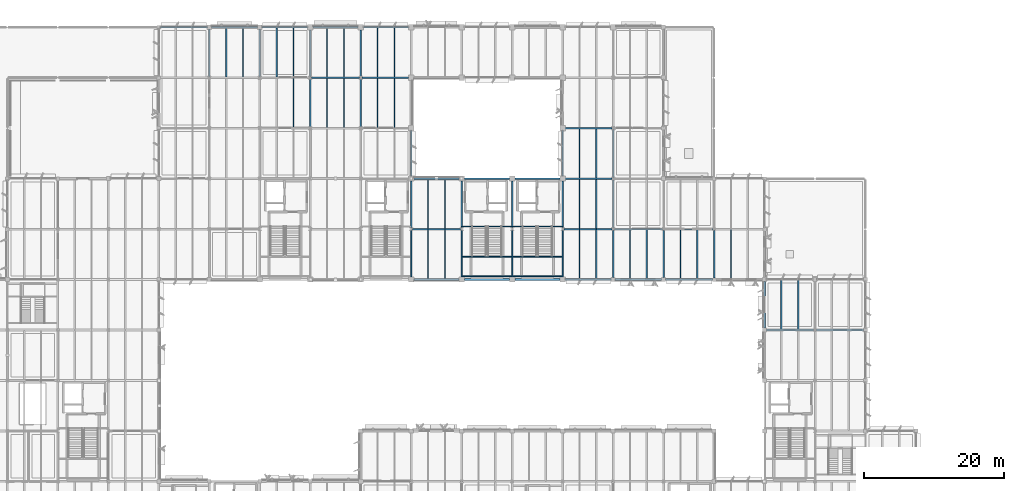
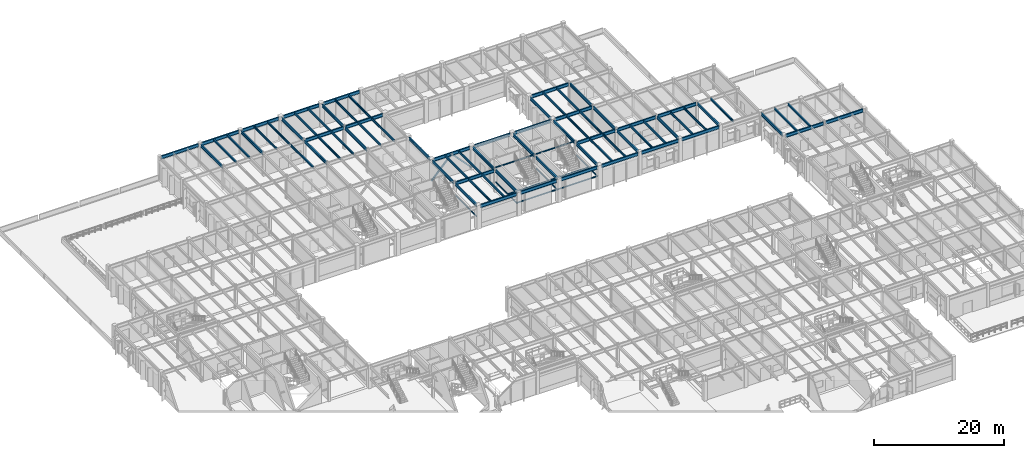
# One storey, part 22 of 92: 86 beams, 2 members.
"""IFC4 building model written with IfcOpenShell, lengths in metres."""

from ifc_helpers import new_model, si_unit, direction, frame, origin, origin_2d, place, context, subcontext, project, spatial, hollow_rectangle, i_section, extrude, material, material_profile, profile_set, type_object, element, save


model = new_model("IFC4")

# Units and contexts
model_context = context("Model", 3, precision=1e-05, world=origin(), true_north=direction((0.0, 1.0)))
body_context = subcontext(model_context, "Body", "Model", "MODEL_VIEW")
ifc_project = project(units=[si_unit("LENGTHUNIT", "METRE"), si_unit("AREAUNIT", "SQUARE_METRE"), si_unit("VOLUMEUNIT", "CUBIC_METRE"), si_unit("PLANEANGLEUNIT", "RADIAN"), si_unit("MASSUNIT", "GRAM", prefix="KILO")], contexts=[model_context])

# Site, building, storey
site_placement = place(None, origin())
site = spatial("IfcSite", under=ifc_project, at=site_placement, CompositionType="ELEMENT")
building_placement = place(site_placement, origin())
building = spatial("IfcBuilding", under=site, at=building_placement, Name="Sillqori Civic Hall", CompositionType="ELEMENT")
storey_placement = place(building_placement, frame((0.0, 0.0, 5.39990234375)))
storey = spatial("IfcBuildingStorey", under=building, at=storey_placement, Name="L02", CompositionType="ELEMENT", Elevation=5.39990234375)

# Beams
ifc_material_1 = material(Name="Steel ASTM A992", Category="steel")
ifc_material_profile_1 = material_profile(ifc_material_1, i_section(OverallWidth=0.2099609375, OverallDepth=0.532958984375, WebThickness=0.01025390625, FlangeThickness=0.015625, FilletRadius=0.013916015625, at=origin_2d()), Name="W21X62")
ifc_profile_set_1 = profile_set([ifc_material_profile_1], Name="Steel ASTM A992")
beam_type_1 = type_object("IfcBeamType", Name="BM-W21X62", PredefinedType="BEAM", material=ifc_profile_set_1)
beam_1_placement = place(storey_placement, frame((43.199951171875, 108.181884765625, 4.03369140625), z_axis=(0.0, 1.0, 0.0), x_axis=(-1.0, 0.0, 0.0)))
element("IfcBeam", 1, at=beam_1_placement, inside=storey, type_object=beam_type_1, Name="L02 girder Y 6-15", PredefinedType="BEAM", context=body_context, shape_type="SweptSolid", body=[
    extrude(i_section(OverallWidth=0.2099609375, OverallDepth=0.532958984375, WebThickness=0.01025390625, FlangeThickness=0.015625, FilletRadius=0.013916015625, at=origin_2d()), origin(), (0.0, 0.0, 1.0), 6.72412109375),
])
beam_2_placement = place(storey_placement, frame((50.39990234375, 108.18701171875, 4.03369140625), z_axis=(0.0, 1.0, 0.0), x_axis=(-1.0, 0.0, 0.0)))
element("IfcBeam", 2, at=beam_2_placement, inside=storey, type_object=beam_type_1, Name="L02 girder Y 7-15", PredefinedType="BEAM", context=body_context, shape_type="SweptSolid", body=[
    extrude(i_section(OverallWidth=0.2099609375, OverallDepth=0.532958984375, WebThickness=0.01025390625, FlangeThickness=0.015625, FilletRadius=0.013916015625, at=origin_2d()), origin(), (0.0, 0.0, 1.0), 6.718994140625),
])
beam_3_placement = place(storey_placement, frame((57.60009765625, 100.990966796875, 4.03369140625), z_axis=(0.0, 1.0, 0.0), x_axis=(-1.0, 0.0, 0.0)))
element("IfcBeam", 3, at=beam_3_placement, inside=storey, type_object=beam_type_1, Name="L02 girder Y 8-14", PredefinedType="BEAM", context=body_context, shape_type="SweptSolid", body=[
    extrude(i_section(OverallWidth=0.2099609375, OverallDepth=0.532958984375, WebThickness=0.01025390625, FlangeThickness=0.015625, FilletRadius=0.013916015625, at=origin_2d()), origin(), (0.0, 0.0, 1.0), 6.818115234375),
])
beam_4_placement = place(storey_placement, frame((57.60009765625, 108.19091796875, 4.03369140625), z_axis=(0.0, 1.0, 0.0), x_axis=(-1.0, 0.0, 0.0)))
element("IfcBeam", 4, at=beam_4_placement, inside=storey, type_object=beam_type_1, Name="L02 girder Y 8-15", PredefinedType="BEAM", context=body_context, shape_type="SweptSolid", body=[
    extrude(i_section(OverallWidth=0.2099609375, OverallDepth=0.532958984375, WebThickness=0.01025390625, FlangeThickness=0.015625, FilletRadius=0.013916015625, at=origin_2d()), origin(), (0.0, 0.0, 1.0), 6.64013671875),
])
beam_5_placement = place(storey_placement, frame((64.800048828125, 100.990966796875, 4.03369140625), z_axis=(0.0, 1.0, 0.0), x_axis=(-1.0, 0.0, 0.0)))
element("IfcBeam", 5, at=beam_5_placement, inside=storey, type_object=beam_type_1, Name="L02 girder Y 9-14", PredefinedType="BEAM", context=body_context, shape_type="SweptSolid", body=[
    extrude(i_section(OverallWidth=0.2099609375, OverallDepth=0.532958984375, WebThickness=0.01025390625, FlangeThickness=0.015625, FilletRadius=0.013916015625, at=origin_2d()), origin(), (0.0, 0.0, 1.0), 6.818115234375),
])
beam_6_placement = place(storey_placement, frame((64.800048828125, 108.19091796875, 4.03369140625), z_axis=(0.0, 1.0, 0.0), x_axis=(-1.0, 0.0, 0.0)))
element("IfcBeam", 6, at=beam_6_placement, inside=storey, type_object=beam_type_1, Name="L02 girder Y 9-15", PredefinedType="BEAM", context=body_context, shape_type="SweptSolid", body=[
    extrude(i_section(OverallWidth=0.2099609375, OverallDepth=0.532958984375, WebThickness=0.01025390625, FlangeThickness=0.015625, FilletRadius=0.013916015625, at=origin_2d()), origin(), (0.0, 0.0, 1.0), 6.64013671875),
])
for number, where, z_axis, x_axis, name in (
    (7, (72.0, 79.569091796875, 4.03369140625), (0.0, 1.0, 0.0), (-1.0, 0.0, 0.0), "L02 girder Y 10-11"),
    (8, (72.0, 86.591064453125, 4.03369140625), (0.0, 1.0, 0.0), (-1.0, 0.0, 0.0), "L02 girder Y 10-12"),
):
    element("IfcBeam", number, at=place(storey_placement, frame(where, z_axis=z_axis, x_axis=x_axis)), inside=storey, type_object=beam_type_1, Name=name, PredefinedType="BEAM", context=body_context, shape_type="SweptSolid", body=[
        extrude(i_section(OverallWidth=0.2099609375, OverallDepth=0.532958984375, WebThickness=0.01025390625, FlangeThickness=0.015625, FilletRadius=0.013916015625, at=origin_2d()), origin(), (0.0, 0.0, 1.0), 6.639892578125),
    ])
beam_7_placement = place(storey_placement, frame((72.0, 93.968994140625, 4.03369140625), z_axis=(0.0, 1.0, 0.0), x_axis=(-1.0, 0.0, 0.0)))
element("IfcBeam", 9, at=beam_7_placement, inside=storey, type_object=beam_type_1, Name="L02 girder Y 10-13", PredefinedType="BEAM", context=body_context, shape_type="SweptSolid", body=[
    extrude(i_section(OverallWidth=0.2099609375, OverallDepth=0.532958984375, WebThickness=0.01025390625, FlangeThickness=0.015625, FilletRadius=0.013916015625, at=origin_2d()), origin(), (0.0, 0.0, 1.0), 6.4619140625),
])
for number, where, z_axis, x_axis, name in (
    (10, (79.199951171875, 79.569091796875, 4.03369140625), (0.0, 1.0, 0.0), (-1.0, 0.0, 0.0), "L02 girder Y 11-11"),
    (11, (79.199951171875, 86.591064453125, 4.03369140625), (0.0, 1.0, 0.0), (-1.0, 0.0, 0.0), "L02 girder Y 11-12"),
    (12, (86.39990234375, 79.569091796875, 4.03369140625), (0.0, 1.0, 0.0), (-1.0, 0.0, 0.0), "L02 girder Y 12-11"),
    (13, (86.39990234375, 86.591064453125, 4.03369140625), (0.0, 1.0, 0.0), (-1.0, 0.0, 0.0), "L02 girder Y 12-12"),
    (14, (93.60009765625, 79.569091796875, 4.03369140625), (0.0, 1.0, 0.0), (-1.0, 0.0, 0.0), "L02 girder Y 13-11"),
    (15, (93.60009765625, 86.591064453125, 4.03369140625), (0.0, 1.0, 0.0), (-1.0, 0.0, 0.0), "L02 girder Y 13-12"),
):
    element("IfcBeam", number, at=place(storey_placement, frame(where, z_axis=z_axis, x_axis=x_axis)), inside=storey, type_object=beam_type_1, Name=name, PredefinedType="BEAM", context=body_context, shape_type="SweptSolid", body=[
        extrude(i_section(OverallWidth=0.2099609375, OverallDepth=0.532958984375, WebThickness=0.01025390625, FlangeThickness=0.015625, FilletRadius=0.013916015625, at=origin_2d()), origin(), (0.0, 0.0, 1.0), 6.639892578125),
    ])
beam_8_placement = place(storey_placement, frame((93.60009765625, 93.968994140625, 4.03369140625), z_axis=(0.0, 1.0, 0.0), x_axis=(-1.0, 0.0, 0.0)))
element("IfcBeam", 16, at=beam_8_placement, inside=storey, type_object=beam_type_1, Name="L02 girder Y 13-13", PredefinedType="BEAM", context=body_context, shape_type="SweptSolid", body=[
    extrude(i_section(OverallWidth=0.2099609375, OverallDepth=0.532958984375, WebThickness=0.01025390625, FlangeThickness=0.015625, FilletRadius=0.013916015625, at=origin_2d()), origin(), (0.0, 0.0, 1.0), 6.4619140625),
])
beam_9_placement = place(storey_placement, frame((100.800048828125, 79.493896484375, 4.03369140625), z_axis=(0.0, 1.0, 0.0), x_axis=(-1.0, 0.0, 0.0)))
element("IfcBeam", 17, at=beam_9_placement, inside=storey, type_object=beam_type_1, Name="L02 girder Y 14-11", PredefinedType="BEAM", context=body_context, shape_type="SweptSolid", body=[
    extrude(i_section(OverallWidth=0.2099609375, OverallDepth=0.532958984375, WebThickness=0.01025390625, FlangeThickness=0.015625, FilletRadius=0.013916015625, at=origin_2d()), origin(), (0.0, 0.0, 1.0), 6.715087890625),
])
for number, where, z_axis, x_axis, name in (
    (18, (100.800048828125, 86.591064453125, 4.03369140625), (0.0, 1.0, 0.0), (-1.0, 0.0, 0.0), "L02 girder Y 14-12"),
    (19, (100.800048828125, 93.791015625, 4.03369140625), (0.0, 1.0, 0.0), (-1.0, 0.0, 0.0), "L02 girder Y 14-13"),
):
    element("IfcBeam", number, at=place(storey_placement, frame(where, z_axis=z_axis, x_axis=x_axis)), inside=storey, type_object=beam_type_1, Name=name, PredefinedType="BEAM", context=body_context, shape_type="SweptSolid", body=[
        extrude(i_section(OverallWidth=0.2099609375, OverallDepth=0.532958984375, WebThickness=0.01025390625, FlangeThickness=0.015625, FilletRadius=0.013916015625, at=origin_2d()), origin(), (0.0, 0.0, 1.0), 6.81787109375),
    ])
beam_10_placement = place(storey_placement, frame((108.0, 79.493896484375, 4.03369140625), z_axis=(0.0, 1.0, 0.0), x_axis=(-1.0, 0.0, 0.0)))
element("IfcBeam", 20, at=beam_10_placement, inside=storey, type_object=beam_type_1, Name="L02 girder Y 15-11", PredefinedType="BEAM", context=body_context, shape_type="SweptSolid", body=[
    extrude(i_section(OverallWidth=0.2099609375, OverallDepth=0.532958984375, WebThickness=0.01025390625, FlangeThickness=0.015625, FilletRadius=0.013916015625, at=origin_2d()), origin(), (0.0, 0.0, 1.0), 6.72802734375),
])
beam_11_placement = place(storey_placement, frame((115.199951171875, 79.444091796875, 4.03369140625), z_axis=(0.0, 1.0, 0.0), x_axis=(-1.0, 0.0, 0.0)))
element("IfcBeam", 21, at=beam_11_placement, inside=storey, type_object=beam_type_1, Name="L02 girder Y 16-11", PredefinedType="BEAM", context=body_context, shape_type="SweptSolid", body=[
    extrude(i_section(OverallWidth=0.2099609375, OverallDepth=0.532958984375, WebThickness=0.01025390625, FlangeThickness=0.015625, FilletRadius=0.013916015625, at=origin_2d()), origin(), (0.0, 0.0, 1.0), 6.781494140625),
])
beam_12_placement = place(storey_placement, frame((122.39990234375, 72.2939453125, 4.03369140625), z_axis=(0.0, 1.0, 0.0), x_axis=(-1.0, 0.0, 0.0)))
element("IfcBeam", 22, at=beam_12_placement, inside=storey, type_object=beam_type_1, Name="L02 girder Y 17-10", PredefinedType="BEAM", context=body_context, shape_type="SweptSolid", body=[
    extrude(i_section(OverallWidth=0.2099609375, OverallDepth=0.532958984375, WebThickness=0.01025390625, FlangeThickness=0.015625, FilletRadius=0.013916015625, at=origin_2d()), origin(), (0.0, 0.0, 1.0), 6.612060546875),
])
ifc_material_profile_2 = material_profile(ifc_material_1, i_section(OverallWidth=0.22802734375, OverallDepth=0.60205078125, WebThickness=0.010498046875, FlangeThickness=0.014892578125, FilletRadius=0.014892578125, at=origin_2d()), Name="W24X68")
ifc_profile_set_2 = profile_set([ifc_material_profile_2], Name="Steel ASTM A992")
beam_type_2 = type_object("IfcBeamType", Name="BM-W24X68", PredefinedType="BEAM", material=ifc_profile_set_2)
beam_13_placement = place(storey_placement, frame((36.243896484375, 115.199951171875, 3.9990234375), z_axis=(1.0, 0.0, 0.0), x_axis=(0.0, 1.0, 0.0)))
element("IfcBeam", 23, at=beam_13_placement, inside=storey, type_object=beam_type_2, Name="L02 girder X 5-16", PredefinedType="BEAM", context=body_context, shape_type="SweptSolid", body=[
    extrude(i_section(OverallWidth=0.22802734375, OverallDepth=0.60205078125, WebThickness=0.010498046875, FlangeThickness=0.014892578125, FilletRadius=0.014892578125, at=origin_2d()), origin(), (0.0, 0.0, 1.0), 6.662109375),
])
beam_14_placement = place(storey_placement, frame((43.493896484375, 115.199951171875, 3.9990234375), z_axis=(1.0, 0.0, 0.0), x_axis=(0.0, 1.0, 0.0)))
element("IfcBeam", 24, at=beam_14_placement, inside=storey, type_object=beam_type_2, Name="L02 girder X 6-16", PredefinedType="BEAM", context=body_context, shape_type="SweptSolid", body=[
    extrude(i_section(OverallWidth=0.22802734375, OverallDepth=0.60205078125, WebThickness=0.010498046875, FlangeThickness=0.014892578125, FilletRadius=0.014892578125, at=origin_2d()), origin(), (0.0, 0.0, 1.0), 6.612060546875),
])
beam_15_placement = place(storey_placement, frame((50.694091796875, 115.199951171875, 3.9990234375), z_axis=(1.0, 0.0, 0.0), x_axis=(0.0, 1.0, 0.0)))
element("IfcBeam", 25, at=beam_15_placement, inside=storey, type_object=beam_type_2, Name="L02 girder X 7-16", PredefinedType="BEAM", context=body_context, shape_type="SweptSolid", body=[
    extrude(i_section(OverallWidth=0.22802734375, OverallDepth=0.60205078125, WebThickness=0.010498046875, FlangeThickness=0.014892578125, FilletRadius=0.014892578125, at=origin_2d()), origin(), (0.0, 0.0, 1.0), 6.536865234375),
])
beam_16_placement = place(storey_placement, frame((57.79345703125, 108.0, 3.9990234375), z_axis=(1.0, 0.0, 0.0), x_axis=(0.0, 1.0, 0.0)))
element("IfcBeam", 26, at=beam_16_placement, inside=storey, type_object=beam_type_2, Name="L02 girder X 8-15", PredefinedType="BEAM", context=body_context, shape_type="SweptSolid", body=[
    extrude(i_section(OverallWidth=0.22802734375, OverallDepth=0.60205078125, WebThickness=0.010498046875, FlangeThickness=0.014892578125, FilletRadius=0.014892578125, at=origin_2d()), origin(), (0.0, 0.0, 1.0), 6.81298828125),
])
beam_17_placement = place(storey_placement, frame((57.968994140625, 115.199951171875, 3.9990234375), z_axis=(1.0, 0.0, 0.0), x_axis=(0.0, 1.0, 0.0)))
element("IfcBeam", 27, at=beam_17_placement, inside=storey, type_object=beam_type_2, Name="L02 girder X 8-16", PredefinedType="BEAM", context=body_context, shape_type="SweptSolid", body=[
    extrude(i_section(OverallWidth=0.22802734375, OverallDepth=0.60205078125, WebThickness=0.010498046875, FlangeThickness=0.014892578125, FilletRadius=0.014892578125, at=origin_2d()), origin(), (0.0, 0.0, 1.0), 6.4619140625),
])
beam_18_placement = place(storey_placement, frame((64.993408203125, 108.0, 3.9990234375), z_axis=(1.0, 0.0, 0.0), x_axis=(0.0, 1.0, 0.0)))
element("IfcBeam", 28, at=beam_18_placement, inside=storey, type_object=beam_type_2, Name="L02 girder X 9-15", PredefinedType="BEAM", context=body_context, shape_type="SweptSolid", body=[
    extrude(i_section(OverallWidth=0.22802734375, OverallDepth=0.60205078125, WebThickness=0.010498046875, FlangeThickness=0.014892578125, FilletRadius=0.014892578125, at=origin_2d()), origin(), (0.0, 0.0, 1.0), 6.6376953125),
])
for number, where, z_axis, x_axis, name in (
    (29, (65.1689453125, 115.199951171875, 3.9990234375), (1.0, 0.0, 0.0), (0.0, 1.0, 0.0), "L02 girder X 9-16"),
    (30, (72.368896484375, 79.199951171875, 3.9990234375), (1.0, 0.0, 0.0), (0.0, 1.0, 0.0), "L02 girder X 10-11"),
):
    element("IfcBeam", number, at=place(storey_placement, frame(where, z_axis=z_axis, x_axis=x_axis)), inside=storey, type_object=beam_type_2, Name=name, PredefinedType="BEAM", context=body_context, shape_type="SweptSolid", body=[
        extrude(i_section(OverallWidth=0.22802734375, OverallDepth=0.60205078125, WebThickness=0.010498046875, FlangeThickness=0.014892578125, FilletRadius=0.014892578125, at=origin_2d()), origin(), (0.0, 0.0, 1.0), 6.462158203125),
    ])
beam_19_placement = place(storey_placement, frame((72.193603515625, 86.39990234375, 3.9990234375), z_axis=(1.0, 0.0, 0.0), x_axis=(0.0, 1.0, 0.0)))
element("IfcBeam", 31, at=beam_19_placement, inside=storey, type_object=beam_type_2, Name="L02 girder X 10-12", PredefinedType="BEAM", context=body_context, shape_type="SweptSolid", body=[
    extrude(i_section(OverallWidth=0.22802734375, OverallDepth=0.60205078125, WebThickness=0.010498046875, FlangeThickness=0.014892578125, FilletRadius=0.014892578125, at=origin_2d()), origin(), (0.0, 0.0, 1.0), 6.81298828125),
])
beam_20_placement = place(storey_placement, frame((72.368896484375, 93.60009765625, 3.9990234375), z_axis=(1.0, 0.0, 0.0), x_axis=(0.0, 1.0, 0.0)))
element("IfcBeam", 32, at=beam_20_placement, inside=storey, type_object=beam_type_2, Name="L02 girder X 10-13", PredefinedType="BEAM", context=body_context, shape_type="SweptSolid", body=[
    extrude(i_section(OverallWidth=0.22802734375, OverallDepth=0.60205078125, WebThickness=0.010498046875, FlangeThickness=0.014892578125, FilletRadius=0.014892578125, at=origin_2d()), origin(), (0.0, 0.0, 1.0), 6.462158203125),
])
for number, where, z_axis, x_axis, name in (
    (33, (79.569091796875, 79.199951171875, 3.9990234375), (1.0, 0.0, 0.0), (0.0, 1.0, 0.0), "L02 girder X 11-11"),
    (34, (79.569091796875, 93.60009765625, 3.9990234375), (1.0, 0.0, 0.0), (0.0, 1.0, 0.0), "L02 girder X 11-13"),
    (35, (86.76904296875, 79.199951171875, 3.9990234375), (1.0, 0.0, 0.0), (0.0, 1.0, 0.0), "L02 girder X 12-11"),
    (36, (86.76904296875, 93.60009765625, 3.9990234375), (1.0, 0.0, 0.0), (0.0, 1.0, 0.0), "L02 girder X 12-13"),
):
    element("IfcBeam", number, at=place(storey_placement, frame(where, z_axis=z_axis, x_axis=x_axis)), inside=storey, type_object=beam_type_2, Name=name, PredefinedType="BEAM", context=body_context, shape_type="SweptSolid", body=[
        extrude(i_section(OverallWidth=0.22802734375, OverallDepth=0.60205078125, WebThickness=0.010498046875, FlangeThickness=0.014892578125, FilletRadius=0.014892578125, at=origin_2d()), origin(), (0.0, 0.0, 1.0), 6.4619140625),
    ])
beam_21_placement = place(storey_placement, frame((93.968994140625, 79.199951171875, 3.9990234375), z_axis=(1.0, 0.0, 0.0), x_axis=(0.0, 1.0, 0.0)))
element("IfcBeam", 37, at=beam_21_placement, inside=storey, type_object=beam_type_2, Name="L02 girder X 13-11", PredefinedType="BEAM", context=body_context, shape_type="SweptSolid", body=[
    extrude(i_section(OverallWidth=0.22802734375, OverallDepth=0.60205078125, WebThickness=0.010498046875, FlangeThickness=0.014892578125, FilletRadius=0.014892578125, at=origin_2d()), origin(), (0.0, 0.0, 1.0), 6.537109375),
])
beam_22_placement = place(storey_placement, frame((93.79345703125, 86.39990234375, 3.9990234375), z_axis=(1.0, 0.0, 0.0), x_axis=(0.0, 1.0, 0.0)))
element("IfcBeam", 38, at=beam_22_placement, inside=storey, type_object=beam_type_2, Name="L02 girder X 13-12", PredefinedType="BEAM", context=body_context, shape_type="SweptSolid", body=[
    extrude(i_section(OverallWidth=0.22802734375, OverallDepth=0.60205078125, WebThickness=0.010498046875, FlangeThickness=0.014892578125, FilletRadius=0.014892578125, at=origin_2d()), origin(), (0.0, 0.0, 1.0), 6.81298828125),
])
for number, where, z_axis, x_axis, name in (
    (39, (93.968994140625, 93.60009765625, 3.9990234375), (1.0, 0.0, 0.0), (0.0, 1.0, 0.0), "L02 girder X 13-13"),
    (40, (93.968994140625, 100.800048828125, 3.9990234375), (1.0, 0.0, 0.0), (0.0, 1.0, 0.0), "L02 girder X 13-14"),
):
    element("IfcBeam", number, at=place(storey_placement, frame(where, z_axis=z_axis, x_axis=x_axis)), inside=storey, type_object=beam_type_2, Name=name, PredefinedType="BEAM", context=body_context, shape_type="SweptSolid", body=[
        extrude(i_section(OverallWidth=0.22802734375, OverallDepth=0.60205078125, WebThickness=0.010498046875, FlangeThickness=0.014892578125, FilletRadius=0.014892578125, at=origin_2d()), origin(), (0.0, 0.0, 1.0), 6.637451171875),
    ])
beam_23_placement = place(storey_placement, frame((101.093994140625, 79.199951171875, 3.9990234375), z_axis=(1.0, 0.0, 0.0), x_axis=(0.0, 1.0, 0.0)))
element("IfcBeam", 41, at=beam_23_placement, inside=storey, type_object=beam_type_2, Name="L02 girder X 14-11", PredefinedType="BEAM", context=body_context, shape_type="SweptSolid", body=[
    extrude(i_section(OverallWidth=0.22802734375, OverallDepth=0.60205078125, WebThickness=0.010498046875, FlangeThickness=0.014892578125, FilletRadius=0.014892578125, at=origin_2d()), origin(), (0.0, 0.0, 1.0), 6.612060546875),
])
beam_24_placement = place(storey_placement, frame((100.993408203125, 86.39990234375, 3.9990234375), z_axis=(1.0, 0.0, 0.0), x_axis=(0.0, 1.0, 0.0)))
element("IfcBeam", 42, at=beam_24_placement, inside=storey, type_object=beam_type_2, Name="L02 girder X 14-12", PredefinedType="BEAM", context=body_context, shape_type="SweptSolid", body=[
    extrude(i_section(OverallWidth=0.22802734375, OverallDepth=0.60205078125, WebThickness=0.010498046875, FlangeThickness=0.014892578125, FilletRadius=0.014892578125, at=origin_2d()), origin(), (0.0, 0.0, 1.0), 6.826171875),
])
beam_25_placement = place(storey_placement, frame((108.2939453125, 79.199951171875, 3.9990234375), z_axis=(1.0, 0.0, 0.0), x_axis=(0.0, 1.0, 0.0)))
element("IfcBeam", 43, at=beam_25_placement, inside=storey, type_object=beam_type_2, Name="L02 girder X 15-11", PredefinedType="BEAM", context=body_context, shape_type="SweptSolid", body=[
    extrude(i_section(OverallWidth=0.22802734375, OverallDepth=0.60205078125, WebThickness=0.010498046875, FlangeThickness=0.014892578125, FilletRadius=0.014892578125, at=origin_2d()), origin(), (0.0, 0.0, 1.0), 6.662109375),
])
beam_26_placement = place(storey_placement, frame((108.180419921875, 86.39990234375, 3.9990234375), z_axis=(1.0, 0.0, 0.0), x_axis=(0.0, 1.0, 0.0)))
element("IfcBeam", 44, at=beam_26_placement, inside=storey, type_object=beam_type_2, Name="L02 girder X 15-12", PredefinedType="BEAM", context=body_context, shape_type="SweptSolid", body=[
    extrude(i_section(OverallWidth=0.22802734375, OverallDepth=0.60205078125, WebThickness=0.010498046875, FlangeThickness=0.014892578125, FilletRadius=0.014892578125, at=origin_2d()), origin(), (0.0, 0.0, 1.0), 6.840087890625),
])
ifc_material_profile_3 = material_profile(ifc_material_1, i_section(OverallWidth=0.22900390625, OverallDepth=0.612060546875, WebThickness=0.011962890625, FlangeThickness=0.01953125, FilletRadius=0.014892578125, at=origin_2d()), Name="W24X84")
ifc_profile_set_3 = profile_set([ifc_material_profile_3], Name="Steel ASTM A992")
beam_type_3 = type_object("IfcBeamType", Name="BM-W24X84", PredefinedType="BEAM", material=ifc_profile_set_3)
beam_27_placement = place(storey_placement, frame((122.694091796875, 72.0, 3.994140625), z_axis=(1.0, 0.0, 0.0), x_axis=(0.0, 1.0, 0.0)))
element("IfcBeam", 45, at=beam_27_placement, inside=storey, type_object=beam_type_3, Name="L02 girder X 17-10", PredefinedType="BEAM", context=body_context, shape_type="SweptSolid", body=[
    extrude(i_section(OverallWidth=0.22900390625, OverallDepth=0.612060546875, WebThickness=0.011962890625, FlangeThickness=0.01953125, FilletRadius=0.014892578125, at=origin_2d()), origin(), (0.0, 0.0, 1.0), 6.725341796875),
])
beam_28_placement = place(storey_placement, frame((129.780517578125, 72.0, 3.994140625), z_axis=(1.0, 0.0, 0.0), x_axis=(0.0, 1.0, 0.0)))
element("IfcBeam", 46, at=beam_28_placement, inside=storey, type_object=beam_type_3, Name="L02 girder X 18-10", PredefinedType="BEAM", context=body_context, shape_type="SweptSolid", body=[
    extrude(i_section(OverallWidth=0.22900390625, OverallDepth=0.612060546875, WebThickness=0.011962890625, FlangeThickness=0.01953125, FilletRadius=0.014892578125, at=origin_2d()), origin(), (0.0, 0.0, 1.0), 6.7255859375),
])

# Members
ifc_material_2 = material(Name="Steel ASTM A500 Grade C", Category="steel")
ifc_material_profile_4 = material_profile(ifc_material_2, hollow_rectangle(XDim=0.25, YDim=0.25, WallThickness=0.011962890625, InnerFilletRadius=0.011962890625, OuterFilletRadius=0.02392578125, at=origin_2d()), Name="HSS250X250X12")
ifc_profile_set_4 = profile_set([ifc_material_profile_4], Name="Steel ASTM A500 Grade C")
member_type = type_object("IfcMemberType", Name="BR-HSS250", PredefinedType="BRACE", material=ifc_profile_set_4)
for number, where, z_axis, x_axis, name in (
    (47, (72.0, 93.60009765625, 0.150146484375), (0.683017671411, 0.0, 0.73040184867), (0.0, 1.0, 0.0), "L02 seismic chevron brace L X13-10"),
    (48, (79.199951171875, 93.60009765625, 0.150146484375), (-0.682992959744, 0.0, 0.730424956406), (0.0, -1.0, 0.0), "L02 seismic chevron brace R X13-10"),
):
    element("IfcMember", number, at=place(storey_placement, frame(where, z_axis=z_axis, x_axis=x_axis)), inside=storey, type_object=member_type, Name=name, PredefinedType="BRACE", context=body_context, shape_type="SweptSolid", body=[
        extrude(hollow_rectangle(XDim=0.25, YDim=0.25, WallThickness=0.011962890625, InnerFilletRadius=0.011962890625, OuterFilletRadius=0.02392578125, at=origin_2d()), origin(), (0.0, 0.0, 1.0), 5.270751953125),
    ])

# Beams
ifc_material_profile_5 = material_profile(ifc_material_1, i_section(OverallWidth=0.177978515625, OverallDepth=0.404052734375, WebThickness=0.007568359375, FlangeThickness=0.010986328125, FilletRadius=0.011962890625, at=origin_2d()), Name="W16X36")
ifc_profile_set_5 = profile_set([ifc_material_profile_5], Name="Steel ASTM A992")
beam_type_4 = type_object("IfcBeamType", Name="JS-W16X36", PredefinedType="JOIST", material=ifc_profile_set_5)
for number, where, z_axis, x_axis, name in (
    (49, (45.60009765625, 108.094970703125, 4.09814453125), (0.0, 1.0, 0.0), (-1.0, 0.0, 0.0), "L02 composite joist 6-15.1"),
    (50, (48.0, 108.094970703125, 4.09814453125), (0.0, 1.0, 0.0), (-1.0, 0.0, 0.0), "L02 composite joist 6-15.2"),
    (51, (55.199951171875, 100.89501953125, 4.09814453125), (0.0, 1.0, 0.0), (-1.0, 0.0, 0.0), "L02 composite joist 7-14.2"),
    (52, (52.800048828125, 108.094970703125, 4.09814453125), (0.0, 1.0, 0.0), (-1.0, 0.0, 0.0), "L02 composite joist 7-15.1"),
    (53, (55.199951171875, 108.094970703125, 4.09814453125), (0.0, 1.0, 0.0), (-1.0, 0.0, 0.0), "L02 composite joist 7-15.2"),
    (54, (60.0, 100.89501953125, 4.09814453125), (0.0, 1.0, 0.0), (-1.0, 0.0, 0.0), "L02 composite joist 8-14.1"),
    (55, (62.39990234375, 100.89501953125, 4.09814453125), (0.0, 1.0, 0.0), (-1.0, 0.0, 0.0), "L02 composite joist 8-14.2"),
    (56, (60.0, 108.094970703125, 4.09814453125), (0.0, 1.0, 0.0), (-1.0, 0.0, 0.0), "L02 composite joist 8-15.1"),
    (57, (62.39990234375, 108.094970703125, 4.09814453125), (0.0, 1.0, 0.0), (-1.0, 0.0, 0.0), "L02 composite joist 8-15.2"),
    (58, (67.199951171875, 100.89501953125, 4.09814453125), (0.0, 1.0, 0.0), (-1.0, 0.0, 0.0), "L02 composite joist 9-14.1"),
    (59, (69.60009765625, 100.89501953125, 4.09814453125), (0.0, 1.0, 0.0), (-1.0, 0.0, 0.0), "L02 composite joist 9-14.2"),
    (60, (67.199951171875, 108.094970703125, 4.09814453125), (0.0, 1.0, 0.0), (-1.0, 0.0, 0.0), "L02 composite joist 9-15.1"),
    (61, (69.60009765625, 108.094970703125, 4.09814453125), (0.0, 1.0, 0.0), (-1.0, 0.0, 0.0), "L02 composite joist 9-15.2"),
    (62, (74.39990234375, 79.294921875, 4.09814453125), (0.0, 1.0, 0.0), (-1.0, 0.0, 0.0), "L02 composite joist 10-11.1"),
    (63, (76.800048828125, 79.294921875, 4.09814453125), (0.0, 1.0, 0.0), (-1.0, 0.0, 0.0), "L02 composite joist 10-11.2"),
):
    element("IfcBeam", number, at=place(storey_placement, frame(where, z_axis=z_axis, x_axis=x_axis)), inside=storey, type_object=beam_type_4, Name=name, PredefinedType="JOIST", context=body_context, shape_type="SweptSolid", body=[
        extrude(i_section(OverallWidth=0.177978515625, OverallDepth=0.404052734375, WebThickness=0.007568359375, FlangeThickness=0.010986328125, FilletRadius=0.011962890625, at=origin_2d()), origin(), (0.0, 0.0, 1.0), 7.010009765625),
    ])
for number, where, z_axis, x_axis, name in (
    (64, (74.39990234375, 86.4951171875, 4.09814453125), (0.0, 1.0, 0.0), (-1.0, 0.0, 0.0), "L02 composite joist 10-12.1"),
    (65, (76.800048828125, 86.4951171875, 4.09814453125), (0.0, 1.0, 0.0), (-1.0, 0.0, 0.0), "L02 composite joist 10-12.2"),
):
    element("IfcBeam", number, at=place(storey_placement, frame(where, z_axis=z_axis, x_axis=x_axis)), inside=storey, type_object=beam_type_4, Name=name, PredefinedType="JOIST", context=body_context, shape_type="SweptSolid", body=[
        extrude(i_section(OverallWidth=0.177978515625, OverallDepth=0.404052734375, WebThickness=0.007568359375, FlangeThickness=0.010986328125, FilletRadius=0.011962890625, at=origin_2d()), origin(), (0.0, 0.0, 1.0), 7.009765625),
    ])
for number, where, z_axis, x_axis, name in (
    (66, (96.0, 79.294921875, 4.09814453125), (0.0, 1.0, 0.0), (-1.0, 0.0, 0.0), "L02 composite joist 13-11.1"),
    (67, (98.39990234375, 79.294921875, 4.09814453125), (0.0, 1.0, 0.0), (-1.0, 0.0, 0.0), "L02 composite joist 13-11.2"),
):
    element("IfcBeam", number, at=place(storey_placement, frame(where, z_axis=z_axis, x_axis=x_axis)), inside=storey, type_object=beam_type_4, Name=name, PredefinedType="JOIST", context=body_context, shape_type="SweptSolid", body=[
        extrude(i_section(OverallWidth=0.177978515625, OverallDepth=0.404052734375, WebThickness=0.007568359375, FlangeThickness=0.010986328125, FilletRadius=0.011962890625, at=origin_2d()), origin(), (0.0, 0.0, 1.0), 7.010009765625),
    ])
for number, where, z_axis, x_axis, name in (
    (68, (96.0, 86.4951171875, 4.09814453125), (0.0, 1.0, 0.0), (-1.0, 0.0, 0.0), "L02 composite joist 13-12.1"),
    (69, (98.39990234375, 86.4951171875, 4.09814453125), (0.0, 1.0, 0.0), (-1.0, 0.0, 0.0), "L02 composite joist 13-12.2"),
):
    element("IfcBeam", number, at=place(storey_placement, frame(where, z_axis=z_axis, x_axis=x_axis)), inside=storey, type_object=beam_type_4, Name=name, PredefinedType="JOIST", context=body_context, shape_type="SweptSolid", body=[
        extrude(i_section(OverallWidth=0.177978515625, OverallDepth=0.404052734375, WebThickness=0.007568359375, FlangeThickness=0.010986328125, FilletRadius=0.011962890625, at=origin_2d()), origin(), (0.0, 0.0, 1.0), 7.009765625),
    ])
for number, where, z_axis, x_axis, name in (
    (70, (96.0, 93.695068359375, 4.09814453125), (0.0, 1.0, 0.0), (-1.0, 0.0, 0.0), "L02 composite joist 13-13.1"),
    (71, (98.39990234375, 93.695068359375, 4.09814453125), (0.0, 1.0, 0.0), (-1.0, 0.0, 0.0), "L02 composite joist 13-13.2"),
    (72, (103.199951171875, 79.294921875, 4.09814453125), (0.0, 1.0, 0.0), (-1.0, 0.0, 0.0), "L02 composite joist 14-11.1"),
    (73, (105.60009765625, 79.294921875, 4.09814453125), (0.0, 1.0, 0.0), (-1.0, 0.0, 0.0), "L02 composite joist 14-11.2"),
    (74, (110.39990234375, 79.294921875, 4.09814453125), (0.0, 1.0, 0.0), (-1.0, 0.0, 0.0), "L02 composite joist 15-11.1"),
    (75, (112.800048828125, 79.294921875, 4.09814453125), (0.0, 1.0, 0.0), (-1.0, 0.0, 0.0), "L02 composite joist 15-11.2"),
    (76, (117.60009765625, 79.294921875, 4.09814453125), (0.0, 1.0, 0.0), (-1.0, 0.0, 0.0), "L02 composite joist 16-11.1"),
    (77, (124.800048828125, 72.094970703125, 4.09814453125), (0.0, 1.0, 0.0), (-1.0, 0.0, 0.0), "L02 composite joist 17-10.1"),
    (78, (127.199951171875, 72.094970703125, 4.09814453125), (0.0, 1.0, 0.0), (-1.0, 0.0, 0.0), "L02 composite joist 17-10.2"),
):
    element("IfcBeam", number, at=place(storey_placement, frame(where, z_axis=z_axis, x_axis=x_axis)), inside=storey, type_object=beam_type_4, Name=name, PredefinedType="JOIST", context=body_context, shape_type="SweptSolid", body=[
        extrude(i_section(OverallWidth=0.177978515625, OverallDepth=0.404052734375, WebThickness=0.007568359375, FlangeThickness=0.010986328125, FilletRadius=0.011962890625, at=origin_2d()), origin(), (0.0, 0.0, 1.0), 7.010009765625),
    ])
ifc_material_profile_6 = material_profile(ifc_material_1, i_section(OverallWidth=0.133056640625, OverallDepth=0.20703125, WebThickness=0.005859375, FlangeThickness=0.00830078125, FilletRadius=0.008056640625, at=origin_2d()), Name="W8X18")
ifc_profile_set_6 = profile_set([ifc_material_profile_6], Name="Steel ASTM A992")
beam_type_5 = type_object("IfcBeamType", Name="LN-W8X18", PredefinedType="LINTEL", material=ifc_profile_set_6)
for number, where, z_axis, x_axis, name in (
    (79, (72.0, 79.569091796875, 1.9326171875), (0.0, 1.0, 0.0), (-1.0, 0.0, 0.0), "L02 grid 10 stair landing stringer 1"),
    (80, (79.199951171875, 79.569091796875, 1.9326171875), (0.0, 1.0, 0.0), (-1.0, 0.0, 0.0), "L02 grid 11 stair landing stringer 1"),
    (81, (86.39990234375, 79.569091796875, 1.9326171875), (0.0, 1.0, 0.0), (-1.0, 0.0, 0.0), "L02 grid 12 stair landing stringer 1"),
):
    element("IfcBeam", number, at=place(storey_placement, frame(where, z_axis=z_axis, x_axis=x_axis)), inside=storey, type_object=beam_type_5, Name=name, PredefinedType="LINTEL", context=body_context, shape_type="SweptSolid", body=[
        extrude(i_section(OverallWidth=0.133056640625, OverallDepth=0.20703125, WebThickness=0.005859375, FlangeThickness=0.00830078125, FilletRadius=0.008056640625, at=origin_2d()), origin(), (0.0, 0.0, 1.0), 6.639892578125),
    ])
for number, where, z_axis, x_axis, name in (
    (82, (79.25, 79.695068359375, 1.9326171875), (1.0, 0.0, 0.0), (0.0, 1.0, 0.0), "L02 C7 stair half-landing steel ledger 1.1"),
    (83, (79.25, 82.429931640625, 1.9326171875), (1.0, 0.0, 0.0), (0.0, 1.0, 0.0), "L02 C7 stair half-landing steel ledger 1.2"),
    (84, (79.25, 86.77001953125, 4.20263671875), (1.0, 0.0, 0.0), (0.0, 1.0, 0.0), "L02 C7 stair upper arrival steel trimmer"),
):
    element("IfcBeam", number, at=place(storey_placement, frame(where, z_axis=z_axis, x_axis=x_axis)), inside=storey, type_object=beam_type_5, Name=name, PredefinedType="LINTEL", context=body_context, shape_type="SweptSolid", body=[
        extrude(i_section(OverallWidth=0.133056640625, OverallDepth=0.20703125, WebThickness=0.005859375, FlangeThickness=0.00830078125, FilletRadius=0.008056640625, at=origin_2d()), origin(), (0.0, 0.0, 1.0), 7.10009765625),
    ])
beam_29_placement = place(storey_placement, frame((93.60009765625, 79.569091796875, 1.9326171875), z_axis=(0.0, 1.0, 0.0), x_axis=(-1.0, 0.0, 0.0)))
element("IfcBeam", 85, at=beam_29_placement, inside=storey, type_object=beam_type_5, Name="L02 grid 13 stair landing stringer 1", PredefinedType="LINTEL", context=body_context, shape_type="SweptSolid", body=[
    extrude(i_section(OverallWidth=0.133056640625, OverallDepth=0.20703125, WebThickness=0.005859375, FlangeThickness=0.00830078125, FilletRadius=0.008056640625, at=origin_2d()), origin(), (0.0, 0.0, 1.0), 6.639892578125),
])
for number, where, z_axis, x_axis, name in (
    (86, (86.449951171875, 79.695068359375, 1.9326171875), (1.0, 0.0, 0.0), (0.0, 1.0, 0.0), "L02 C8 stair half-landing steel ledger 1.1"),
    (87, (86.449951171875, 82.429931640625, 1.9326171875), (1.0, 0.0, 0.0), (0.0, 1.0, 0.0), "L02 C8 stair half-landing steel ledger 1.2"),
    (88, (86.449951171875, 86.77001953125, 4.20263671875), (1.0, 0.0, 0.0), (0.0, 1.0, 0.0), "L02 C8 stair upper arrival steel trimmer"),
):
    element("IfcBeam", number, at=place(storey_placement, frame(where, z_axis=z_axis, x_axis=x_axis)), inside=storey, type_object=beam_type_5, Name=name, PredefinedType="LINTEL", context=body_context, shape_type="SweptSolid", body=[
        extrude(i_section(OverallWidth=0.133056640625, OverallDepth=0.20703125, WebThickness=0.005859375, FlangeThickness=0.00830078125, FilletRadius=0.008056640625, at=origin_2d()), origin(), (0.0, 0.0, 1.0), 7.10009765625),
    ])

save(model, "model.ifc")
